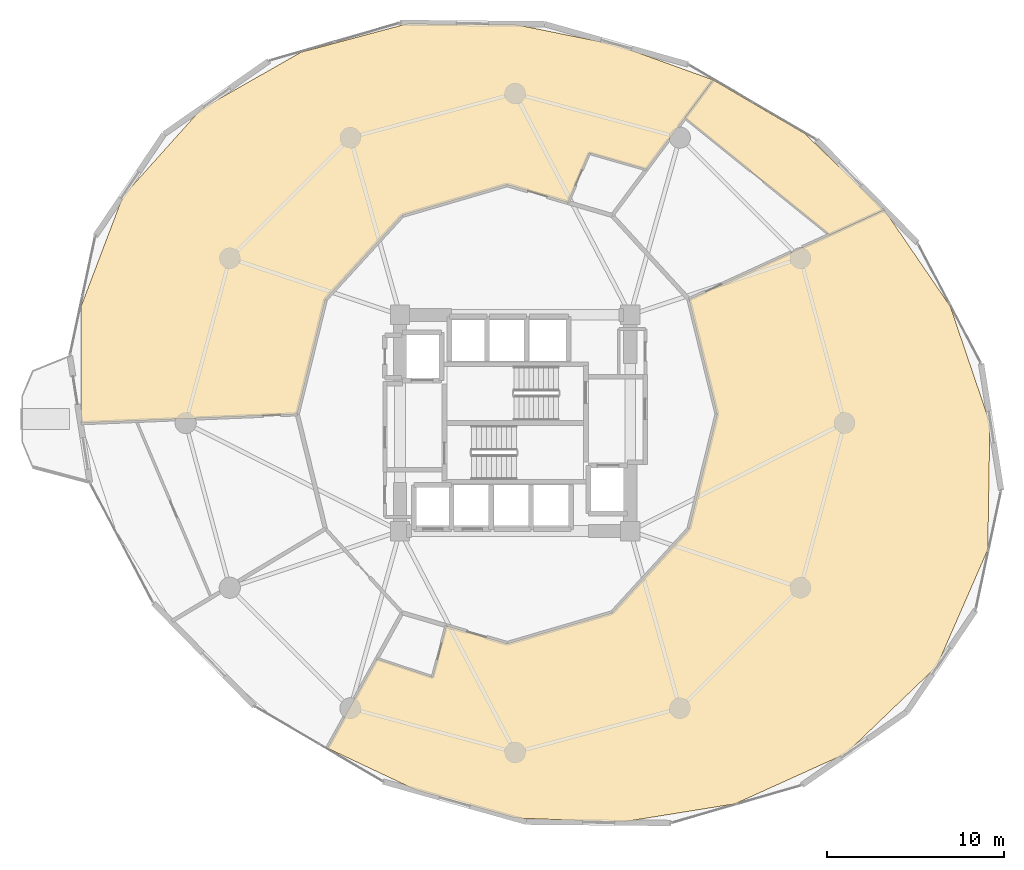
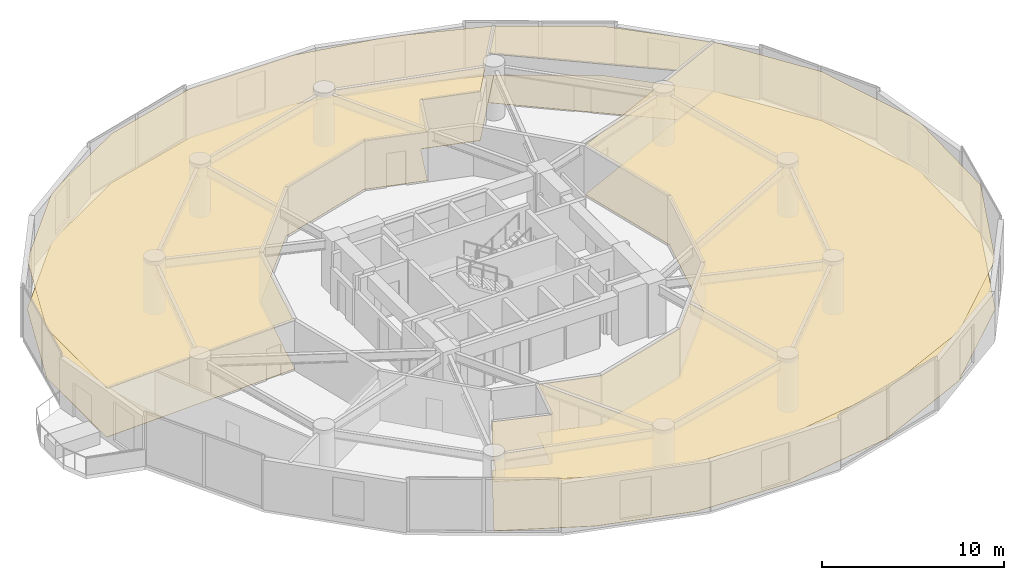
# One storey, part 24 of 24: 6 coverings.
"""IFC4 building model written with IfcOpenShell, lengths in metres."""

from ifc_helpers import new_model, si_unit, direction, frame, origin, place, context, subcontext, project, spatial, polyline, outline, extrude, material, layer, layer_set, type_object, element, save


model = new_model("IFC4")

# Units and contexts
model_context = context("Model", 3, precision=1e-05, world=origin(), true_north=direction((0.0, 1.0)))
body_context = subcontext(model_context, "Body", "Model", "MODEL_VIEW")
ifc_project = project(units=[si_unit("LENGTHUNIT", "METRE"), si_unit("AREAUNIT", "SQUARE_METRE"), si_unit("VOLUMEUNIT", "CUBIC_METRE"), si_unit("PLANEANGLEUNIT", "RADIAN"), si_unit("MASSUNIT", "GRAM", prefix="KILO")], contexts=[model_context])

# Site, building, storey
site_placement = place(None, origin())
site = spatial("IfcSite", under=ifc_project, at=site_placement, CompositionType="ELEMENT")
building_placement = place(site_placement, origin())
building = spatial("IfcBuilding", under=site, at=building_placement, Name="Solvirekh Grand Hotel", CompositionType="ELEMENT")
storey_placement = place(building_placement, frame((0.0, 0.0, 82.39990234375)))
storey = spatial("IfcBuildingStorey", under=building, at=storey_placement, Name="L20", CompositionType="ELEMENT", Elevation=82.39990234375)

# Coverings
ifc_material_1 = material(Name="Acoustic Mineral Ceiling Tile")
ifc_layer_1 = layer(ifc_material_1, 0.02490234375)
ifc_layer_set_1 = layer_set([ifc_layer_1], Name="Acoustic Mineral Ceiling Tile")
covering_type_1 = type_object("IfcCoveringType", Name="Cov_Ceiling_Acoustic", PredefinedType="CEILING", material=ifc_layer_set_1)
covering_1_placement = place(storey_placement, frame((0.0, 0.0, 3.2900390625)))
element("IfcCovering", 1, at=covering_1_placement, inside=storey, type_object=covering_type_1, Name="L20 Presidential Suite 2201 Living Room acoustic ceiling", PredefinedType="CEILING", context=body_context, shape_type="SweptSolid", body=[
    extrude(outline(polyline([(-4.655029296875, -14.35791015625), (-7.81103515625, -13.31396484375), (-10.59912109375, -18.35791015625), (-5.556884765625, -20.738037109375), (0.0, -22.301025390625), (6.035888671875, -22.528076171875), (12.4140625, -21.5009765625), (18.6689453125, -18.6689453125), (23.802978515625, -13.741943359375), (26.68408203125, -7.14990234375), (26.802001953125, 0.0), (24.56494140625, 6.58203125), (20.839111328125, 12.031982421875), (9.81201171875, 6.97509765625), (11.39990234375, 0.5), (9.81201171875, -5.97509765625), (5.47509765625, -10.715087890625), (-0.449951171875, -12.449951171875), (-3.886962890625, -11.444091796875), (-4.655029296875, -14.35791015625)])), origin(), (0.0, 0.0, 1.0), 0.01806640625),
])
covering_2_placement = place(storey_placement, frame((0.0, 0.0, 3.2900390625)))
element("IfcCovering", 2, at=covering_2_placement, inside=storey, type_object=covering_type_1, Name="L20 Presidential Suite 2201 Master Bedroom acoustic ceiling", PredefinedType="CEILING", context=body_context, shape_type="SweptSolid", body=[
    extrude(outline(polyline([(20.839111328125, 12.031982421875), (16.341064453125, 16.341064453125), (11.180908203125, 19.364990234375), (9.5830078125, 17.222900390625), (17.7509765625, 10.615966796875), (20.839111328125, 12.031982421875)])), origin(), (0.0, 0.0, 1.0), 0.01806640625),
])
covering_3_placement = place(storey_placement, frame((0.0, 0.0, 3.2900390625)))
element("IfcCovering", 3, at=covering_3_placement, inside=storey, type_object=covering_type_1, Name="L20 Presidential Suite 2202 Living Room acoustic ceiling", PredefinedType="CEILING", context=body_context, shape_type="SweptSolid", body=[
    extrude(outline(polyline([(4.176025390625, 15.243896484375), (7.4150390625, 14.31591796875), (11.180908203125, 19.364990234375), (5.718017578125, 21.339111328125), (0.0, 22.493896484375), (-6.0419921875, 22.548095703125), (-12.083984375, 20.930908203125), (-17.722900390625, 17.722900390625), (-22.14794921875, 12.787109375), (-24.509033203125, 6.56689453125), (-24.501953125, 0.0), (-12.300048828125, 0.5), (-10.7119140625, 6.97509765625), (-6.375, 11.715087890625), (-0.449951171875, 13.449951171875), (2.986083984375, 12.444091796875), (4.176025390625, 15.243896484375)])), origin(), (0.0, 0.0, 1.0), 0.01806640625),
])
ifc_material_2 = material(Name="Porcelain Stoneware Flooring", Category="masonry")
ifc_layer_2 = layer(ifc_material_2, 0.030029296875)
ifc_layer_set_2 = layer_set([ifc_layer_2], Name="Porcelain Stoneware Flooring")
covering_type_2 = type_object("IfcCoveringType", Name="Cov_Floor_Stone", PredefinedType="FLOORING", material=ifc_layer_set_2)
covering_4_placement = place(storey_placement, origin())
element("IfcCovering", 4, at=covering_4_placement, inside=storey, type_object=covering_type_2, Name="L20 Presidential Suite 2201 Living Room polished granite flooring", PredefinedType="FLOORING", context=body_context, shape_type="SweptSolid", body=[
    extrude(outline(polyline([(-4.655029296875, -14.35791015625), (-7.81103515625, -13.31396484375), (-10.59912109375, -18.35791015625), (-5.556884765625, -20.738037109375), (0.0, -22.301025390625), (6.035888671875, -22.528076171875), (12.4140625, -21.5009765625), (18.6689453125, -18.6689453125), (23.802978515625, -13.741943359375), (26.68408203125, -7.14990234375), (26.802001953125, 0.0), (24.56494140625, 6.58203125), (20.839111328125, 12.031982421875), (9.81201171875, 6.97509765625), (11.39990234375, 0.5), (9.81201171875, -5.97509765625), (5.47509765625, -10.715087890625), (-0.449951171875, -12.449951171875), (-3.886962890625, -11.444091796875), (-4.655029296875, -14.35791015625)])), origin(), (0.0, 0.0, 1.0), 0.02001953125),
])
covering_5_placement = place(storey_placement, origin())
element("IfcCovering", 5, at=covering_5_placement, inside=storey, type_object=covering_type_2, Name="L20 Presidential Suite 2201 Master Bedroom polished granite flooring", PredefinedType="FLOORING", context=body_context, shape_type="SweptSolid", body=[
    extrude(outline(polyline([(20.839111328125, 12.031982421875), (16.341064453125, 16.341064453125), (11.180908203125, 19.364990234375), (9.5830078125, 17.222900390625), (17.7509765625, 10.615966796875), (20.839111328125, 12.031982421875)])), origin(), (0.0, 0.0, 1.0), 0.02001953125),
])
covering_6_placement = place(storey_placement, origin())
element("IfcCovering", 6, at=covering_6_placement, inside=storey, type_object=covering_type_2, Name="L20 Presidential Suite 2202 Living Room polished granite flooring", PredefinedType="FLOORING", context=body_context, shape_type="SweptSolid", body=[
    extrude(outline(polyline([(4.176025390625, 15.243896484375), (7.4150390625, 14.31591796875), (11.180908203125, 19.364990234375), (5.718017578125, 21.339111328125), (0.0, 22.493896484375), (-6.0419921875, 22.548095703125), (-12.083984375, 20.930908203125), (-17.722900390625, 17.722900390625), (-22.14794921875, 12.787109375), (-24.509033203125, 6.56689453125), (-24.501953125, 0.0), (-12.300048828125, 0.5), (-10.7119140625, 6.97509765625), (-6.375, 11.715087890625), (-0.449951171875, 13.449951171875), (2.986083984375, 12.444091796875), (4.176025390625, 15.243896484375)])), origin(), (0.0, 0.0, 1.0), 0.02001953125),
])

save(model, "model.ifc")
